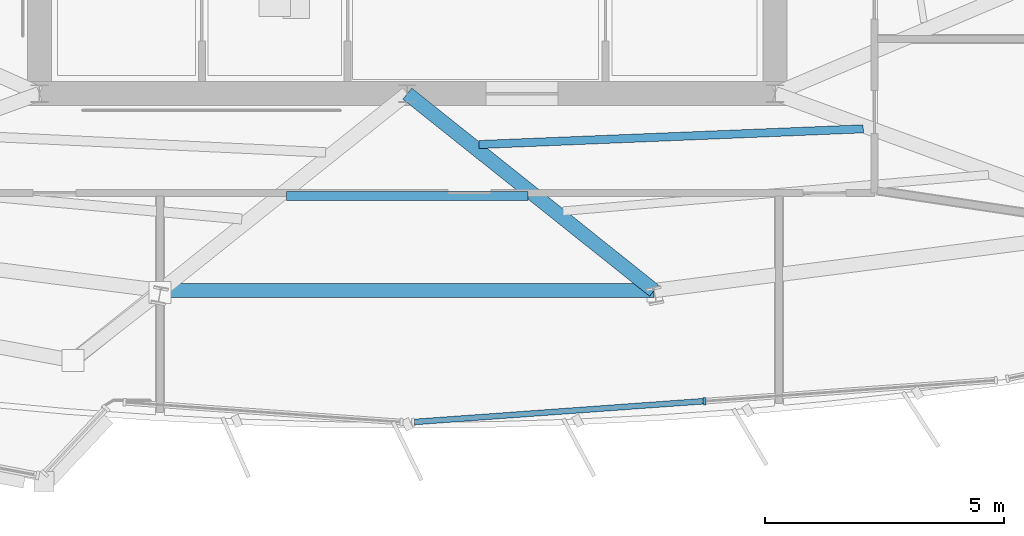
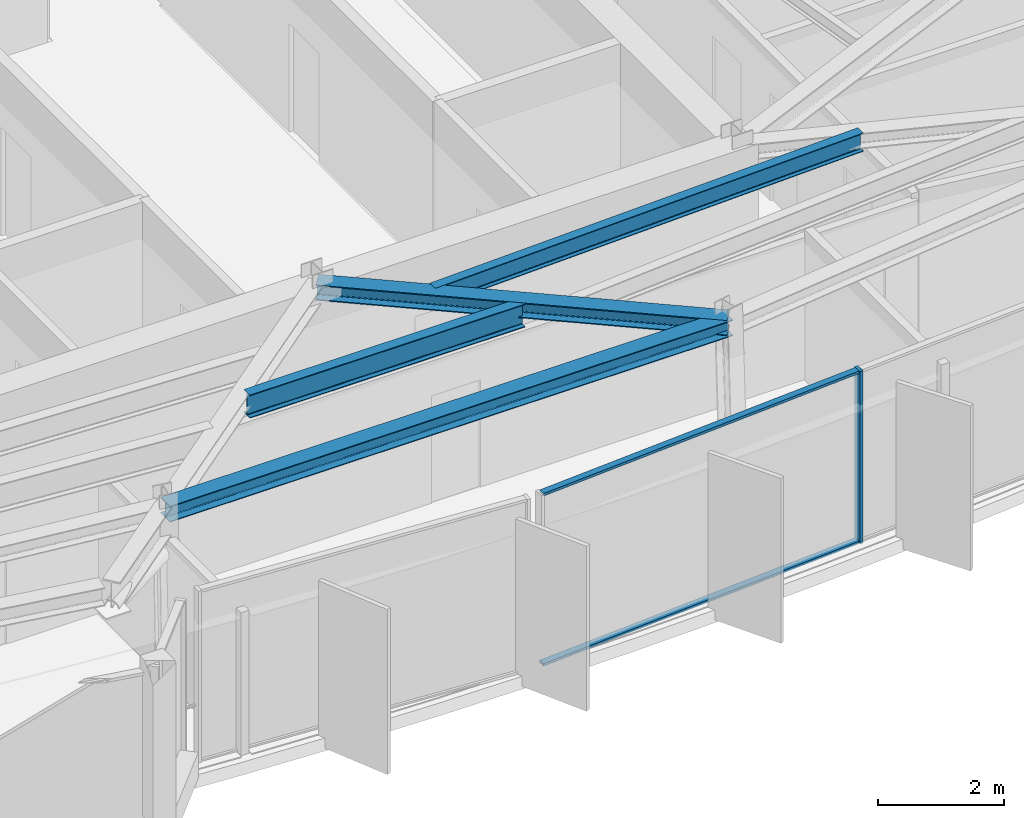
# One storey, part 3 of 13: 4 beams, 3 members, 1 element without a shape of its own.
"""IFC4 building model written with IfcOpenShell, lengths in metres."""

from ifc_helpers import new_model, si_unit, direction, frame, origin, origin_2d, place, context, subcontext, project, spatial, rectangle, i_section, extrude, material, material_profile, profile_set, type_object, element, aggregate, save


model = new_model("IFC4")

# Units and contexts
model_context = context("Model", 3, precision=1e-05, world=origin(), true_north=direction((0.0, 1.0)))
body_context = subcontext(model_context, "Body", "Model", "MODEL_VIEW")
ifc_project = project(units=[si_unit("LENGTHUNIT", "METRE"), si_unit("AREAUNIT", "SQUARE_METRE"), si_unit("VOLUMEUNIT", "CUBIC_METRE"), si_unit("PLANEANGLEUNIT", "RADIAN"), si_unit("MASSUNIT", "GRAM", prefix="KILO")], contexts=[model_context])

# Site, building, storey
site_placement = place(None, origin())
site = spatial("IfcSite", under=ifc_project, at=site_placement, CompositionType="ELEMENT")
building_placement = place(site_placement, origin())
building = spatial("IfcBuilding", under=site, at=building_placement, Name="Savorim Split Tower", CompositionType="ELEMENT")
storey_placement = place(building_placement, frame((0.0, 0.0, 272.39990234375)))
storey = spatial("IfcBuildingStorey", under=building, at=storey_placement, Name="L72", CompositionType="ELEMENT", Elevation=272.39990234375)

# Beams
ifc_material_1 = material(Name="Steel S355", Category="steel")
ifc_material_profile_1 = material_profile(ifc_material_1, i_section(OverallWidth=0.169921875, OverallDepth=0.360107421875, WebThickness=0.008056640625, FlangeThickness=0.0126953125, FilletRadius=0.01806640625, at=origin_2d()), Name="IPE 360")
ifc_profile_set_1 = profile_set([ifc_material_profile_1], Name="Steel S355")
beam_type_1 = type_object("IfcBeamType", Name="BM-JST-IPE360", PredefinedType="JOIST", material=ifc_profile_set_1)
beam_1_placement = place(storey_placement, frame((1.502685546875, -10.465087890625, 3.170166015625), z_axis=(0.999164896913, 0.040859622822, 0.0), x_axis=(-0.040859622822, 0.999164896913, 0.0)))
element("IfcBeam", 1, at=beam_1_placement, inside=storey, type_object=beam_type_1, Name="L72 Secondary Floor Joist JS-05", PredefinedType="JOIST", context=body_context, shape_type="SweptSolid", body=[
    extrude(i_section(OverallWidth=0.169921875, OverallDepth=0.360107421875, WebThickness=0.008056640625, FlangeThickness=0.0126953125, FilletRadius=0.01806640625, at=origin_2d()), origin(), (0.0, 0.0, 1.0), 8.048583984375),
])
ifc_material_profile_2 = material_profile(ifc_material_1, i_section(OverallWidth=0.18994140625, OverallDepth=0.449951171875, WebThickness=0.009521484375, FlangeThickness=0.0146484375, FilletRadius=0.02099609375, at=origin_2d()), Name="IPE 450")
ifc_profile_set_2 = profile_set([ifc_material_profile_2], Name="Steel S355")
beam_type_2 = type_object("IfcBeamType", Name="BM-JST-IPE450", PredefinedType="JOIST", material=ifc_profile_set_2)
beam_2_placement = place(storey_placement, frame((-2.525390625, -11.543212890625, 3.125), z_axis=(1.0, 0.0, 0.0), x_axis=(0.0, 1.0, 0.0)))
element("IfcBeam", 2, at=beam_2_placement, inside=storey, type_object=beam_type_2, Name="L72 Secondary Floor Joist JS-03", PredefinedType="JOIST", context=body_context, shape_type="SweptSolid", body=[
    extrude(i_section(OverallWidth=0.18994140625, OverallDepth=0.449951171875, WebThickness=0.009521484375, FlangeThickness=0.0146484375, FilletRadius=0.02099609375, at=origin_2d()), origin(), (0.0, 0.0, 1.0), 5.05078125),
])
ifc_material_profile_3 = material_profile(ifc_material_1, i_section(OverallWidth=0.300048828125, OverallDepth=0.300048828125, WebThickness=0.010986328125, FlangeThickness=0.01904296875, FilletRadius=0.027099609375, at=origin_2d()), Name="HEB 300")
ifc_profile_set_3 = profile_set([ifc_material_profile_3], Name="Steel S355")
beam_type_3 = type_object("IfcBeamType", Name="BM-PRI-HEB300", PredefinedType="BEAM", material=ifc_profile_set_3)
beam_3_placement = place(storey_placement, frame((5.16455078125, -13.521728515625, 3.2001953125), z_axis=(-0.781592820708, 0.623788956794, 0.0), x_axis=(-0.623788956794, -0.781592820708, 0.0)))
element("IfcBeam", 3, at=beam_3_placement, inside=storey, type_object=beam_type_3, Name="L72 Primary Floor Girder RG-03", PredefinedType="BEAM", context=body_context, shape_type="SweptSolid", body=[
    extrude(i_section(OverallWidth=0.300048828125, OverallDepth=0.300048828125, WebThickness=0.010986328125, FlangeThickness=0.01904296875, FilletRadius=0.027099609375, at=origin_2d()), origin(), (0.0, 0.0, 1.0), 6.607666015625),
])
ifc_material_profile_4 = material_profile(ifc_material_1, i_section(OverallWidth=0.300048828125, OverallDepth=0.31005859375, WebThickness=0.009033203125, FlangeThickness=0.015380859375, FilletRadius=0.027099609375, at=origin_2d()), Name="HEA 320")
ifc_profile_set_4 = profile_set([ifc_material_profile_4], Name="Steel S355")
beam_type_4 = type_object("IfcBeamType", Name="BM-SPN-HEA320", PredefinedType="SPANDREL", material=ifc_profile_set_4)
beam_4_placement = place(storey_placement, frame((-5.16455078125, -13.521728515625, 3.195068359375), z_axis=(1.0, 0.0, 0.0), x_axis=(0.0, 1.0, 0.0)))
element("IfcBeam", 4, at=beam_4_placement, inside=storey, type_object=beam_type_4, Name="L72 Perimeter Spandrel Beam 2", PredefinedType="SPANDREL", context=body_context, shape_type="SweptSolid", body=[
    extrude(i_section(OverallWidth=0.300048828125, OverallDepth=0.31005859375, WebThickness=0.009033203125, FlangeThickness=0.015380859375, FilletRadius=0.027099609375, at=origin_2d()), origin(), (0.0, 0.0, 1.0), 10.3291015625),
])

# Curtain wall, members
ifc_material_2 = material(Name="Dark Ceramic-Fritted Insulated Glass", Category="glass")
curtain_wall_type = type_object("IfcCurtainWallType", Name="CW-TWR-FRIT-B", PredefinedType="NOTDEFINED", material=ifc_material_2)
curtain_wall_placement = place(storey_placement, origin())
curtain_wall = element("IfcCurtainWall", 5, at=curtain_wall_placement, inside=storey, type_object=curtain_wall_type, Name="L72 Curtain Wall CW-L72-SF3A", PredefinedType="NOTDEFINED")
ifc_material_3 = material(Name="Charcoal Anodised Aluminium", Category="aluminium")
ifc_material_profile_5 = material_profile(ifc_material_3, rectangle(XDim=0.159912109375, YDim=0.06005859375, at=origin_2d()), Name="ALU-M 160x60")
ifc_profile_set_5 = profile_set([ifc_material_profile_5], Name="Charcoal Anodised Aluminium")
member_type_1 = type_object("IfcMemberType", Name="CWM-160x60", PredefinedType="MULLION", material=ifc_profile_set_5)
member_1_placement = place(storey_placement, frame((6.2216796875, -15.836669921875, 0.0), z_axis=(0.0, 0.0, 1.0), x_axis=(-0.071564439004, 0.997435978432, 0.0)))
member_1 = element("IfcMember", 6, at=member_1_placement, type_object=member_type_1, Name="CW-03 mullion 2", PredefinedType="MULLION", context=body_context, shape_type="SweptSolid", body=[
    extrude(rectangle(XDim=0.159912109375, YDim=0.06005859375, at=origin_2d()), origin(), (0.0, 0.0, 1.0), 3.35009765625),
])
ifc_material_profile_6 = material_profile(ifc_material_3, rectangle(XDim=0.1201171875, YDim=0.050048828125, at=origin_2d()), Name="ALU-T 120x50")
ifc_profile_set_6 = profile_set([ifc_material_profile_6], Name="Charcoal Anodised Aluminium")
member_type_2 = type_object("IfcMemberType", Name="CWT-120x50", PredefinedType="USERDEFINED", material=ifc_profile_set_6)
member_2_placement = place(storey_placement, frame((0.151123046875, -16.272216796875, 0.025146484375), z_axis=(0.997433672946, 0.071596564674, 0.0), x_axis=(-0.071596564674, 0.997433672946, 0.0)))
member_2 = element("IfcMember", 7, at=member_2_placement, type_object=member_type_2, Name="CW-03 transom 1.1", ObjectType="TRANSOM", PredefinedType="USERDEFINED", context=body_context, shape_type="SweptSolid", body=[
    extrude(rectangle(XDim=0.1201171875, YDim=0.050048828125, at=origin_2d()), origin(), (0.0, 0.0, 1.0), 6.05615234375),
])
member_3_placement = place(storey_placement, frame((0.151123046875, -16.272216796875, 3.3251953125), z_axis=(0.997433672946, 0.071596564674, 0.0), x_axis=(-0.071596564674, 0.997433672946, 0.0)))
member_3 = element("IfcMember", 8, at=member_3_placement, type_object=member_type_2, Name="CW-03 transom 1.2", ObjectType="TRANSOM", PredefinedType="USERDEFINED", context=body_context, shape_type="SweptSolid", body=[
    extrude(rectangle(XDim=0.1201171875, YDim=0.050048828125, at=origin_2d()), origin(), (0.0, 0.0, 1.0), 6.05615234375),
])
aggregate(curtain_wall, [member_1, member_2, member_3])

save(model, "model.ifc")
